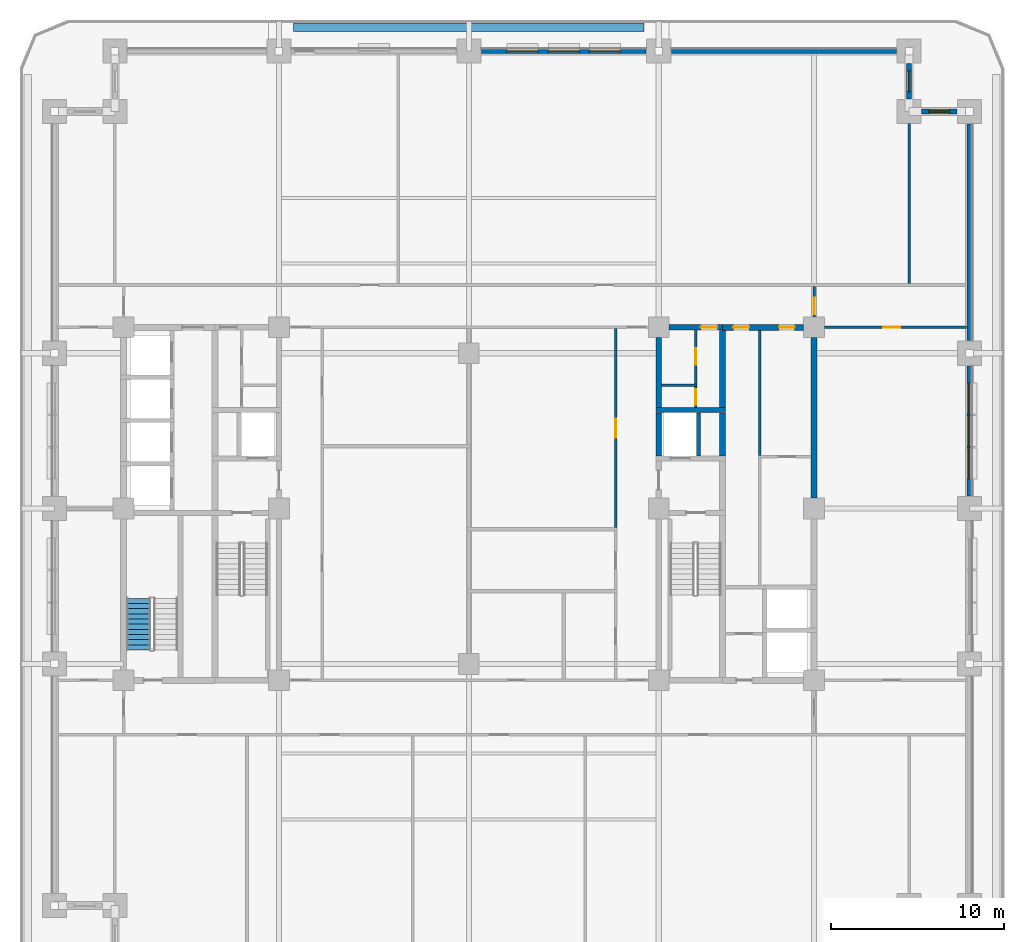
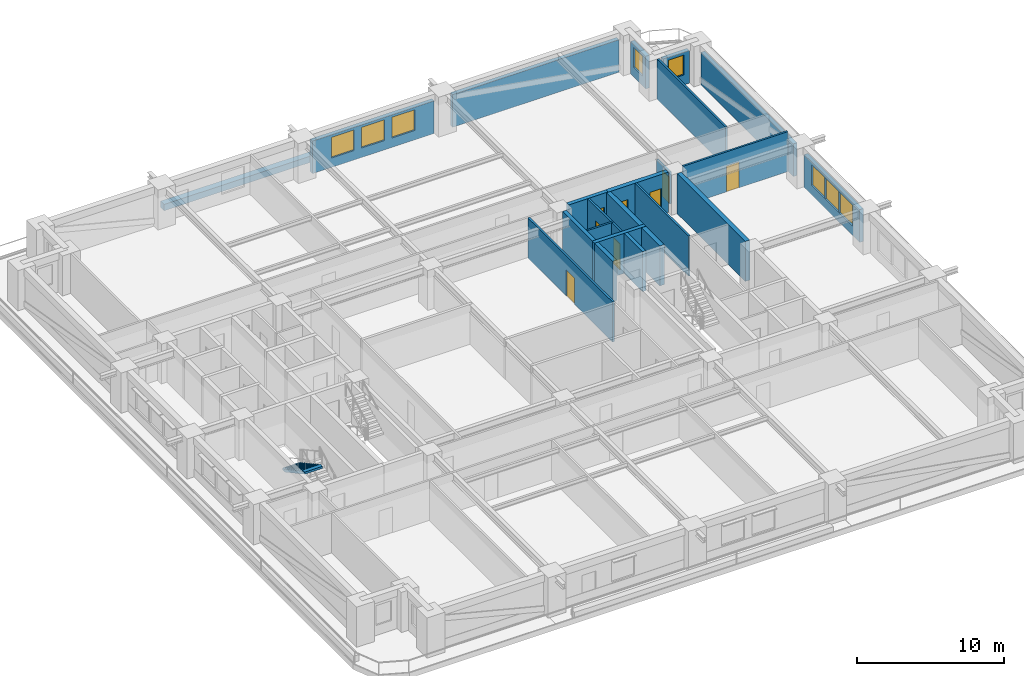
# One storey, part 6 of 14: 24 walls, 8 doors, 8 windows, 1 stair flight, 16 openings, 1 element without a shape of its own.
"""IFC4 building model written with IfcOpenShell, lengths in metres."""

from ifc_helpers import new_model, si_unit, direction, frame, frame_2d, origin, place, context, subcontext, project, spatial, polyline, rectangle, outline, extrude, material, layer, layer_set, type_object, element, fill, aggregate, save


model = new_model("IFC4")

# Units and contexts
model_context = context("Model", 3, precision=1e-05, world=origin(), true_north=direction((0.0, 1.0)))
body_context = subcontext(model_context, "Body", "Model", "MODEL_VIEW")
ifc_project = project(units=[si_unit("LENGTHUNIT", "METRE"), si_unit("AREAUNIT", "SQUARE_METRE"), si_unit("VOLUMEUNIT", "CUBIC_METRE"), si_unit("PLANEANGLEUNIT", "RADIAN"), si_unit("MASSUNIT", "GRAM", prefix="KILO")], contexts=[model_context])

# Site, building, storey
site_placement = place(None, origin())
site = spatial("IfcSite", under=ifc_project, at=site_placement, CompositionType="ELEMENT")
building_placement = place(site_placement, origin())
building = spatial("IfcBuilding", under=site, at=building_placement, Name="Zulmaris Gate Convention Tower", CompositionType="ELEMENT")
storey_placement = place(building_placement, frame((0.0, 0.0, 41.47998046875)))
storey = spatial("IfcBuildingStorey", under=building, at=storey_placement, Name="L09", CompositionType="ELEMENT", Elevation=41.47998046875)

# Walls
ifc_material_1 = material(Name="Concrete C50/60", Category="concrete")
ifc_layer_1 = layer(ifc_material_1, 0.25, Name="Concrete C50/60")
ifc_layer_set_1 = layer_set([ifc_layer_1], Name="Concrete C50/60")
wall_type_1 = type_object("IfcWallType", Name="CORE-250", PredefinedType="SOLIDWALL", material=ifc_layer_set_1)
wall_1_placement = place(storey_placement, frame((13.300048828125, 3.052001953125, 0.0), z_axis=(0.0, 0.0, 1.0), x_axis=(0.0, 1.0, 0.0)))
element("IfcWall", 1, at=wall_1_placement, inside=storey, type_object=wall_type_1, Name="WL-L09-062", PredefinedType="SOLIDWALL", context=body_context, shape_type="SweptSolid", body=[
    extrude(rectangle(XDim=2.49609375, YDim=0.25, at=frame_2d((1.248046875, 0.0))), origin(), (0.0, 0.0, 1.0), 3.320068359375),
])
ifc_layer_2 = layer(ifc_material_1, 0.300048828125, Name="Concrete C50/60")
ifc_layer_set_2 = layer_set([ifc_layer_2], Name="Concrete C50/60")
wall_type_2 = type_object("IfcWallType", Name="CORE-300", PredefinedType="SHEAR", material=ifc_layer_set_2)
wall_2_placement = place(storey_placement, frame((10.85009765625, 5.699951171875, 0.0), z_axis=(0.0, 0.0, 1.0), x_axis=(1.0, 0.0, 0.0)))
element("IfcWall", 2, at=wall_2_placement, inside=storey, type_object=wall_type_2, Name="WL-L09-014", PredefinedType="SHEAR", context=body_context, shape_type="SweptSolid", body=[
    extrude(rectangle(XDim=4.02490234375, YDim=0.300048828125, at=frame_2d((2.012451171875, 0.0))), origin(), (0.0, 0.0, 1.0), 3.320068359375),
])

# Wall, opening, door
wall_3_placement = place(storey_placement, frame((11.60400390625, 10.5, 0.0), z_axis=(0.0, 0.0, 1.0), x_axis=(1.0, 0.0, 0.0)))
wall_3 = element("IfcWall", 3, at=wall_3_placement, inside=storey, type_object=wall_type_2, Name="WL-L09-018", PredefinedType="SHEAR", context=body_context, shape_type="SweptSolid", body=[
    extrude(rectangle(XDim=3.095947265625, YDim=0.300048828125, at=frame_2d((1.5478515625, 0.0))), origin(), (0.0, 0.0, 1.0), 3.320068359375),
])
opening_1_placement = place(wall_3_placement, frame((1.841064453125, 0.0, 0.0)))
opening_1 = element("IfcOpeningElement", 4, at=opening_1_placement, cuts=wall_3, Name="Opening D-11", PredefinedType="OPENING", context=body_context, shape_type="SweptSolid", body=[
    extrude(rectangle(XDim=0.949951171875, YDim=2.14990234375, at=frame_2d((0.47509765625, 1.074951171875))), frame((0.0, 0.16015625, 0.0), z_axis=(0.0, -1.0, 0.0), x_axis=(1.0, 0.0, 0.0)), (0.0, 0.0, 1.0), 0.320068359375),
])
ifc_material_2 = material(Name="Fire-Rated Timber", Category="wood")
door_type_1 = type_object("IfcDoorType", Name="DR-950-FD", OperationType="NOTDEFINED", PredefinedType="DOOR", material=ifc_material_2)
door_1_placement = place(opening_1_placement, origin())
door_1 = element("IfcDoor", 5, at=door_1_placement, inside=storey, type_object=door_type_1, Name="L09 Core East Passage Door 10", OperationType="SINGLE_SWING_LEFT", OverallHeight=2.14990234375, OverallWidth=0.949951171875, PredefinedType="DOOR", context=body_context, shape_type="SweptSolid", body=[
    extrude(rectangle(XDim=0.949951171875, YDim=2.14990234375, at=frame_2d((0.47509765625, 1.074951171875))), frame((0.0, 0.02490234375, 0.0), z_axis=(0.0, -1.0, 0.0), x_axis=(1.0, 0.0, 0.0)), (0.0, 0.0, 1.0), 0.050048828125),
])
fill(opening_1, door_1)

# Walls
wall_4_placement = place(storey_placement, frame((11.0, 3.052001953125, 0.0), z_axis=(0.0, 0.0, 1.0), x_axis=(0.0, 1.0, 0.0)))
element("IfcWall", 6, at=wall_4_placement, inside=storey, type_object=wall_type_2, Name="WL-L09-059", PredefinedType="SHEAR", context=body_context, shape_type="SweptSolid", body=[
    extrude(rectangle(XDim=2.49609375, YDim=0.300048828125, at=frame_2d((1.248046875, 0.0))), origin(), (0.0, 0.0, 1.0), 3.320068359375),
])
wall_5_placement = place(storey_placement, frame((11.0, 5.85205078125, 0.0), z_axis=(0.0, 0.0, 1.0), x_axis=(0.0, 1.0, 0.0)))
element("IfcWall", 7, at=wall_5_placement, inside=storey, type_object=wall_type_2, Name="WL-L09-060", PredefinedType="SHEAR", context=body_context, shape_type="SweptSolid", body=[
    extrude(rectangle(XDim=4.0439453125, YDim=0.300048828125, at=frame_2d((2.02197265625, 0.0))), origin(), (0.0, 0.0, 1.0), 3.320068359375),
])

# Wall, openings, doors
ifc_material_3 = material(Name="Concrete C55/67", Category="concrete")
ifc_layer_3 = layer(ifc_material_3, 0.35009765625, Name="Concrete C55/67")
ifc_layer_set_3 = layer_set([ifc_layer_3], Name="Concrete C55/67")
wall_type_3 = type_object("IfcWallType", Name="CORE-350", PredefinedType="SHEAR", material=ifc_layer_set_3)
wall_6_placement = place(storey_placement, frame((14.699951171875, 10.5, 0.0), z_axis=(0.0, 0.0, 1.0), x_axis=(1.0, 0.0, 0.0)))
wall_6 = element("IfcWall", 8, at=wall_6_placement, inside=storey, type_object=wall_type_3, Name="WL-L09-019", PredefinedType="SHEAR", context=body_context, shape_type="SweptSolid", body=[
    extrude(rectangle(XDim=4.696044921875, YDim=0.35009765625, at=frame_2d((2.34814453125, 0.0))), origin(), (0.0, 0.0, 1.0), 3.320068359375),
])
opening_2_placement = place(wall_6_placement, frame((0.6298828125, 0.0, 0.0)))
opening_2 = element("IfcOpeningElement", 9, at=opening_2_placement, cuts=wall_6, Name="Opening D-12", PredefinedType="OPENING", context=body_context, shape_type="SweptSolid", body=[
    extrude(rectangle(XDim=0.89990234375, YDim=2.14990234375, at=frame_2d((0.449951171875, 1.074951171875))), frame((0.0, 0.18505859375, 0.0), z_axis=(0.0, -1.0, 0.0), x_axis=(1.0, 0.0, 0.0)), (0.0, 0.0, 1.0), 0.3701171875),
])
opening_3_placement = place(wall_6_placement, frame((3.27001953125, 0.0, 0.0)))
opening_3 = element("IfcOpeningElement", 10, at=opening_3_placement, cuts=wall_6, Name="Opening D-12", PredefinedType="OPENING", context=body_context, shape_type="SweptSolid", body=[
    extrude(rectangle(XDim=0.89990234375, YDim=2.14990234375, at=frame_2d((0.449951171875, 1.074951171875))), frame((0.0, 0.18505859375, 0.0), z_axis=(0.0, -1.0, 0.0), x_axis=(1.0, 0.0, 0.0)), (0.0, 0.0, 1.0), 0.3701171875),
])
door_type_2 = type_object("IfcDoorType", Name="DR-900-FD", OperationType="NOTDEFINED", PredefinedType="DOOR", material=ifc_material_2)
door_2_placement = place(opening_2_placement, origin())
door_2 = element("IfcDoor", 11, at=door_2_placement, inside=storey, type_object=door_type_2, Name="L09 East Comms Door 21", OperationType="SINGLE_SWING_RIGHT", OverallHeight=2.14990234375, OverallWidth=0.89990234375, PredefinedType="DOOR", context=body_context, shape_type="SweptSolid", body=[
    extrude(rectangle(XDim=0.89990234375, YDim=2.14990234375, at=frame_2d((0.449951171875, 1.074951171875))), frame((0.0, 0.02490234375, 0.0), z_axis=(0.0, -1.0, 0.0), x_axis=(1.0, 0.0, 0.0)), (0.0, 0.0, 1.0), 0.050048828125),
])
fill(opening_2, door_2)
door_3_placement = place(opening_3_placement, origin())
door_3 = element("IfcDoor", 12, at=door_3_placement, inside=storey, type_object=door_type_2, Name="L09 East Archive Vault Door 22", OperationType="SINGLE_SWING_LEFT", OverallHeight=2.14990234375, OverallWidth=0.89990234375, PredefinedType="DOOR", context=body_context, shape_type="SweptSolid", body=[
    extrude(rectangle(XDim=0.89990234375, YDim=2.14990234375, at=frame_2d((0.449951171875, 1.074951171875))), frame((0.0, 0.02490234375, 0.0), z_axis=(0.0, -1.0, 0.0), x_axis=(1.0, 0.0, 0.0)), (0.0, 0.0, 1.0), 0.050048828125),
])
fill(opening_3, door_3)

# Walls
wall_7_placement = place(storey_placement, frame((14.699951171875, 3.052001953125, 0.0), z_axis=(0.0, 0.0, 1.0), x_axis=(0.0, 1.0, 0.0)))
element("IfcWall", 13, at=wall_7_placement, inside=storey, type_object=wall_type_3, Name="WL-L09-065", PredefinedType="SHEAR", context=body_context, shape_type="SweptSolid", body=[
    extrude(rectangle(XDim=2.49609375, YDim=0.35009765625, at=frame_2d((1.248046875, 0.0))), origin(), (0.0, 0.0, 1.0), 3.320068359375),
])
wall_8_placement = place(storey_placement, frame((14.699951171875, 5.85205078125, 0.0), z_axis=(0.0, 0.0, 1.0), x_axis=(0.0, 1.0, 0.0)))
element("IfcWall", 14, at=wall_8_placement, inside=storey, type_object=wall_type_3, Name="WL-L09-066", PredefinedType="SHEAR", context=body_context, shape_type="SweptSolid", body=[
    extrude(rectangle(XDim=4.470947265625, YDim=0.35009765625, at=frame_2d((2.2353515625, 0.0))), origin(), (0.0, 0.0, 1.0), 3.320068359375),
])
wall_9_placement = place(storey_placement, frame((20.0, 0.60400390625, 0.0), z_axis=(0.0, 0.0, 1.0), x_axis=(0.0, 1.0, 0.0)))
element("IfcWall", 15, at=wall_9_placement, inside=storey, type_object=wall_type_3, Name="WL-L09-071S1", PredefinedType="SHEAR", context=body_context, shape_type="SweptSolid", body=[
    extrude(rectangle(XDim=9.2919921875, YDim=0.35009765625, at=frame_2d((4.64599609375, 0.0))), origin(), (0.0, 0.0, 1.0), 3.320068359375),
])
ifc_material_4 = material(Name="Gypsum Metal Stud Partition")
ifc_layer_4 = layer(ifc_material_4, 0.14990234375, Name="Gypsum Metal Stud Partition")
ifc_layer_set_4 = layer_set([ifc_layer_4], Name="Gypsum Metal Stud Partition")
wall_type_4 = type_object("IfcWallType", Name="PART-150", PredefinedType="PARTITIONING", material=ifc_layer_set_4)
wall_10_placement = place(storey_placement, frame((11.153076171875, 7.14990234375, 0.0), z_axis=(0.0, 0.0, 1.0), x_axis=(1.0, 0.0, 0.0)))
element("IfcWall", 16, at=wall_10_placement, inside=storey, type_object=wall_type_4, Name="WL-L09-032", PredefinedType="PARTITIONING", context=body_context, shape_type="SweptSolid", body=[
    extrude(rectangle(XDim=2.072021484375, YDim=0.14990234375, at=frame_2d((1.0361328125, 0.0))), origin(), (0.0, 0.0, 1.0), 3.320068359375),
])

# Wall, opening, door
wall_11_placement = place(storey_placement, frame((20.60595703125, 10.5, 0.0), z_axis=(0.0, 0.0, 1.0), x_axis=(1.0, 0.0, 0.0)))
wall_11 = element("IfcWall", 17, at=wall_11_placement, inside=storey, type_object=wall_type_4, Name="WL-L09-035", PredefinedType="PARTITIONING", context=body_context, shape_type="SweptSolid", body=[
    extrude(rectangle(XDim=8.22900390625, YDim=0.14990234375, at=frame_2d((4.114501953125, 0.0))), origin(), (0.0, 0.0, 1.0), 3.320068359375),
])
opening_4_placement = place(wall_11_placement, frame((3.39404296875, 0.0, 0.0)))
opening_4 = element("IfcOpeningElement", 18, at=opening_4_placement, cuts=wall_11, Name="Opening D-10", PredefinedType="OPENING", context=body_context, shape_type="SweptSolid", body=[
    extrude(rectangle(XDim=1.0, YDim=2.14990234375, at=frame_2d((0.5, 1.074951171875))), frame((0.0, 0.0849609375, 0.0), z_axis=(0.0, -1.0, 0.0), x_axis=(1.0, 0.0, 0.0)), (0.0, 0.0, 1.0), 0.169921875),
])
door_type_3 = type_object("IfcDoorType", Name="DR-1000-FD", OperationType="NOTDEFINED", PredefinedType="DOOR", material=ifc_material_2)
door_4_placement = place(opening_4_placement, origin())
door_4 = element("IfcDoor", 19, at=door_4_placement, inside=storey, type_object=door_type_3, Name="L09 East Workplace North Door 46", OperationType="SINGLE_SWING_LEFT", OverallHeight=2.14990234375, OverallWidth=1.0, PredefinedType="DOOR", context=body_context, shape_type="SweptSolid", body=[
    extrude(rectangle(XDim=1.0, YDim=2.14990234375, at=frame_2d((0.5, 1.074951171875))), frame((0.0, 0.02490234375, 0.0), z_axis=(0.0, -1.0, 0.0), x_axis=(1.0, 0.0, 0.0)), (0.0, 0.0, 1.0), 0.050048828125),
])
fill(opening_4, door_4)

wall_12_placement = place(storey_placement, frame((8.5, -1.096923828125, 0.0), z_axis=(0.0, 0.0, 1.0), x_axis=(0.0, 1.0, 0.0)))
wall_12 = element("IfcWall", 20, at=wall_12_placement, inside=storey, type_object=wall_type_4, Name="WL-L09-091", PredefinedType="PARTITIONING", context=body_context, shape_type="SweptSolid", body=[
    extrude(rectangle(XDim=11.51904296875, YDim=0.14990234375, at=frame_2d((5.759521484375, 0.0))), origin(), (0.0, 0.0, 1.0), 3.320068359375),
])
opening_5_placement = place(wall_12_placement, frame((5.197021484375, 0.0, 0.0)))
opening_5 = element("IfcOpeningElement", 21, at=opening_5_placement, cuts=wall_12, Name="Opening D-08", PredefinedType="OPENING", context=body_context, shape_type="SweptSolid", body=[
    extrude(rectangle(XDim=1.10009765625, YDim=2.14990234375, at=frame_2d((0.550048828125, 1.074951171875))), frame((0.0, 0.0849609375, 0.0), z_axis=(0.0, -1.0, 0.0), x_axis=(1.0, 0.0, 0.0)), (0.0, 0.0, 1.0), 0.169921875),
])
ifc_material_5 = material(Name="Fire-Rated Steel", Category="steel")
door_type_4 = type_object("IfcDoorType", Name="DR-1100-FD", OperationType="NOTDEFINED", PredefinedType="DOOR", material=ifc_material_5)
door_5_placement = place(opening_5_placement, origin())
door_5 = element("IfcDoor", 22, at=door_5_placement, inside=storey, type_object=door_type_4, Name="L09 Seminar Forum Door 36", OperationType="SINGLE_SWING_LEFT", OverallHeight=2.14990234375, OverallWidth=1.10009765625, PredefinedType="DOOR", context=body_context, shape_type="SweptSolid", body=[
    extrude(rectangle(XDim=1.10009765625, YDim=2.14990234375, at=frame_2d((0.550048828125, 1.074951171875))), frame((0.0, 0.02490234375, 0.0), z_axis=(0.0, -1.0, 0.0), x_axis=(1.0, 0.0, 0.0)), (0.0, 0.0, 1.0), 0.050048828125),
])
fill(opening_5, door_5)

wall_13_placement = place(storey_placement, frame((13.14990234375, 5.85302734375, 0.0), z_axis=(0.0, 0.0, 1.0), x_axis=(0.0, 1.0, 0.0)))
wall_13 = element("IfcWall", 23, at=wall_13_placement, inside=storey, type_object=wall_type_4, Name="WL-L09-092", PredefinedType="PARTITIONING", context=body_context, shape_type="SweptSolid", body=[
    extrude(rectangle(XDim=1.218994140625, YDim=0.14990234375, at=frame_2d((0.609375, 0.0))), origin(), (0.0, 0.0, 1.0), 3.320068359375),
])
opening_6_placement = place(wall_13_placement, frame((0.1689453125, 0.0, 0.0)))
opening_6 = element("IfcOpeningElement", 24, at=opening_6_placement, cuts=wall_13, Name="Opening D-12", PredefinedType="OPENING", context=body_context, shape_type="SweptSolid", body=[
    extrude(rectangle(XDim=0.89990234375, YDim=2.14990234375, at=frame_2d((0.449951171875, 1.074951171875))), frame((0.0, 0.0849609375, 0.0), z_axis=(0.0, -1.0, 0.0), x_axis=(1.0, 0.0, 0.0)), (0.0, 0.0, 1.0), 0.169921875),
])
door_6_placement = place(opening_6_placement, origin())
door_6 = element("IfcDoor", 25, at=door_6_placement, inside=storey, type_object=door_type_2, Name="L09 Core Staff WC Door 11", OperationType="SINGLE_SWING_RIGHT", OverallHeight=2.14990234375, OverallWidth=0.89990234375, PredefinedType="DOOR", context=body_context, shape_type="SweptSolid", body=[
    extrude(rectangle(XDim=0.89990234375, YDim=2.14990234375, at=frame_2d((0.449951171875, 1.074951171875))), frame((0.0, 0.02490234375, 0.0), z_axis=(0.0, -1.0, 0.0), x_axis=(1.0, 0.0, 0.0)), (0.0, 0.0, 1.0), 0.050048828125),
])
fill(opening_6, door_6)

wall_14_placement = place(storey_placement, frame((13.14990234375, 7.22802734375, 0.0), z_axis=(0.0, 0.0, 1.0), x_axis=(0.0, 1.0, 0.0)))
wall_14 = element("IfcWall", 26, at=wall_14_placement, inside=storey, type_object=wall_type_4, Name="WL-L09-093", PredefinedType="PARTITIONING", context=body_context, shape_type="SweptSolid", body=[
    extrude(rectangle(XDim=3.118896484375, YDim=0.14990234375, at=frame_2d((1.5595703125, 0.0))), origin(), (0.0, 0.0, 1.0), 3.320068359375),
])
opening_7_placement = place(wall_14_placement, frame((1.096923828125, 0.0, 0.0)))
opening_7 = element("IfcOpeningElement", 27, at=opening_7_placement, cuts=wall_14, Name="Opening D-11", PredefinedType="OPENING", context=body_context, shape_type="SweptSolid", body=[
    extrude(rectangle(XDim=0.949951171875, YDim=2.14990234375, at=frame_2d((0.47509765625, 1.074951171875))), frame((0.0, 0.0849609375, 0.0), z_axis=(0.0, -1.0, 0.0), x_axis=(1.0, 0.0, 0.0)), (0.0, 0.0, 1.0), 0.169921875),
])
door_7_placement = place(opening_7_placement, origin())
door_7 = element("IfcDoor", 28, at=door_7_placement, inside=storey, type_object=door_type_1, Name="L09 Core Hygiene Store Door 12", OperationType="SINGLE_SWING_LEFT", OverallHeight=2.14990234375, OverallWidth=0.949951171875, PredefinedType="DOOR", context=body_context, shape_type="SweptSolid", body=[
    extrude(rectangle(XDim=0.949951171875, YDim=2.14990234375, at=frame_2d((0.47509765625, 1.074951171875))), frame((0.0, 0.02490234375, 0.0), z_axis=(0.0, -1.0, 0.0), x_axis=(1.0, 0.0, 0.0)), (0.0, 0.0, 1.0), 0.050048828125),
])
fill(opening_7, door_7)

# Wall
wall_15_placement = place(storey_placement, frame((16.85009765625, 3.077880859375, 0.0), z_axis=(0.0, 0.0, 1.0), x_axis=(0.0, 1.0, 0.0)))
element("IfcWall", 29, at=wall_15_placement, inside=storey, type_object=wall_type_4, Name="WL-L09-095", PredefinedType="PARTITIONING", context=body_context, shape_type="SweptSolid", body=[
    extrude(rectangle(XDim=7.244140625, YDim=0.14990234375, at=frame_2d((3.6220703125, 0.0))), origin(), (0.0, 0.0, 1.0), 3.320068359375),
])

# Wall, opening, door
wall_16_placement = place(storey_placement, frame((20.0, 11.10595703125, 0.0), z_axis=(0.0, 0.0, 1.0), x_axis=(0.0, 1.0, 0.0)))
wall_16 = element("IfcWall", 30, at=wall_16_placement, inside=storey, type_object=wall_type_4, Name="WL-L09-097", PredefinedType="PARTITIONING", context=body_context, shape_type="SweptSolid", body=[
    extrude(rectangle(XDim=1.76611328125, YDim=0.14990234375, at=frame_2d((0.883056640625, 0.0))), origin(), (0.0, 0.0, 1.0), 2.659912109375),
])
opening_8_placement = place(wall_16_placement, frame((0.14990234375, 0.0, 0.0)))
opening_8 = element("IfcOpeningElement", 31, at=opening_8_placement, cuts=wall_16, Name="Opening D-11", PredefinedType="OPENING", context=body_context, shape_type="SweptSolid", body=[
    extrude(rectangle(XDim=0.949951171875, YDim=2.14990234375, at=frame_2d((0.47509765625, 1.074951171875))), frame((0.0, 0.0849609375, 0.0), z_axis=(0.0, -1.0, 0.0), x_axis=(1.0, 0.0, 0.0)), (0.0, 0.0, 1.0), 0.169921875),
])
door_8_placement = place(opening_8_placement, origin())
door_8 = element("IfcDoor", 32, at=door_8_placement, inside=storey, type_object=door_type_1, Name="L09 NE Spur Door 44", OperationType="SINGLE_SWING_LEFT", OverallHeight=2.14990234375, OverallWidth=0.949951171875, PredefinedType="DOOR", context=body_context, shape_type="SweptSolid", body=[
    extrude(rectangle(XDim=0.949951171875, YDim=2.14990234375, at=frame_2d((0.47509765625, 1.074951171875))), frame((0.0, 0.02490234375, 0.0), z_axis=(0.0, -1.0, 0.0), x_axis=(1.0, 0.0, 0.0)), (0.0, 0.0, 1.0), 0.050048828125),
])
fill(opening_8, door_8)

# Walls
wall_17_placement = place(storey_placement, frame((25.5, 13.028076171875, 0.0), z_axis=(0.0, 0.0, 1.0), x_axis=(0.0, 1.0, 0.0)))
element("IfcWall", 33, at=wall_17_placement, inside=storey, type_object=wall_type_4, Name="WL-L09-099", PredefinedType="PARTITIONING", context=body_context, shape_type="SweptSolid", body=[
    extrude(rectangle(XDim=9.265869140625, YDim=0.14990234375, at=frame_2d((4.6328125, 0.0))), origin(), (0.0, 0.0, 1.0), 3.320068359375),
])
ifc_material_6 = material(Name="Botanical Green Glazed Precast Concrete C40/50", Category="concrete")
ifc_layer_5 = layer(ifc_material_6, 0.419921875, Name="Botanical Green Glazed Precast Concrete C40/50")
ifc_layer_set_5 = layer_set([ifc_layer_5], Name="Botanical Green Glazed Precast Concrete C40/50")
wall_type_5 = type_object("IfcWallType", Name="PLANTER-CURB-200", PredefinedType="PARAPET", material=ifc_layer_set_5)
wall_18_placement = place(storey_placement, frame((-10.14990234375, 27.8798828125, -0.0400390625), z_axis=(0.0, 0.0, 1.0), x_axis=(1.0, 0.0, 0.0)))
element("IfcWall", 34, at=wall_18_placement, inside=storey, type_object=wall_type_5, Name="L09 Full-Length Balcony Tree Planter Trough", PredefinedType="PARAPET", context=body_context, shape_type="SweptSolid", body=[
    extrude(rectangle(XDim=20.2998046875, YDim=0.47998046875, at=frame_2d((10.14990234375, 0.0))), origin(), (0.0, 0.0, 1.0), 0.52001953125),
])

# Wall, opening, window
ifc_material_7 = material(Name="Precast concrete C40/50", Category="concrete")
ifc_layer_6 = layer(ifc_material_7, 0.300048828125, Name="Precast concrete C40/50")
ifc_layer_set_6 = layer_set([ifc_layer_6], Name="Precast concrete C40/50")
wall_type_6 = type_object("IfcWallType", Name="PRECAST-PIER-300", PredefinedType="STANDARD", material=ifc_layer_set_6)
wall_19_placement = place(storey_placement, frame((28.27001953125, 23.0, 0.0), z_axis=(0.0, 0.0, 1.0), x_axis=(-1.0, 0.0, 0.0)))
wall_19 = element("IfcWall", 35, at=wall_19_placement, inside=storey, type_object=wall_type_6, Name="EW-L09-NOTCH-NE1_0", PredefinedType="STANDARD", context=body_context, shape_type="SweptSolid", body=[
    extrude(rectangle(XDim=2.0400390625, YDim=0.300048828125, at=frame_2d((1.02001953125, 0.0))), origin(), (0.0, 0.0, 1.0), 2.7119140625),
])
opening_9_placement = place(wall_19_placement, frame((0.419921875, 0.0, 0.820068359375)))
opening_9 = element("IfcOpeningElement", 36, at=opening_9_placement, cuts=wall_19, Name="Opening W-04", PredefinedType="OPENING", context=body_context, shape_type="SweptSolid", body=[
    extrude(rectangle(XDim=1.199951171875, YDim=1.64990234375, at=frame_2d((0.60009765625, 0.824951171875))), frame((0.0, 0.16015625, 0.0), z_axis=(0.0, -1.0, 0.0), x_axis=(1.0, 0.0, 0.0)), (0.0, 0.0, 1.0), 0.320068359375),
])
ifc_material_8 = material(Name="Low-E Laminated Double Glazing in Aluminium Frame", Category="aluminium")
window_type_1 = type_object("IfcWindowType", Name="WIN-1200x2100", PartitioningType="SINGLE_PANEL", PredefinedType="WINDOW", material=ifc_material_8)
window_1_placement = place(opening_9_placement, origin())
window_1 = element("IfcWindow", 37, at=window_1_placement, inside=storey, type_object=window_type_1, Name="WN-EW-L09-NOTCH-NE1_0", OverallHeight=1.64990234375, OverallWidth=1.199951171875, PartitioningType="SINGLE_PANEL", PredefinedType="WINDOW", context=body_context, shape_type="SweptSolid", body=[
    extrude(rectangle(XDim=1.199951171875, YDim=1.64990234375, at=frame_2d((0.60009765625, 0.824951171875))), frame((0.0, 0.030029296875, 0.0), z_axis=(0.0, -1.0, 0.0), x_axis=(1.0, 0.0, 0.0)), (0.0, 0.0, 1.0), 0.06005859375),
])
fill(opening_9, window_1)

wall_20_placement = place(storey_placement, frame((25.5, 23.72998046875, 0.0), z_axis=(0.0, 0.0, 1.0), x_axis=(0.0, 1.0, 0.0)))
wall_20 = element("IfcWall", 38, at=wall_20_placement, inside=storey, type_object=wall_type_6, Name="EW-L09-NOTCH-NE2_0", PredefinedType="STANDARD", context=body_context, shape_type="SweptSolid", body=[
    extrude(rectangle(XDim=2.0400390625, YDim=0.300048828125, at=frame_2d((1.02001953125, 0.0))), origin(), (0.0, 0.0, 1.0), 2.7119140625),
])
opening_10_placement = place(wall_20_placement, frame((0.419921875, 0.0, 0.820068359375)))
opening_10 = element("IfcOpeningElement", 39, at=opening_10_placement, cuts=wall_20, Name="Opening W-04", PredefinedType="OPENING", context=body_context, shape_type="SweptSolid", body=[
    extrude(rectangle(XDim=1.199951171875, YDim=1.64990234375, at=frame_2d((0.60009765625, 0.824951171875))), frame((0.0, 0.16015625, 0.0), z_axis=(0.0, -1.0, 0.0), x_axis=(1.0, 0.0, 0.0)), (0.0, 0.0, 1.0), 0.320068359375),
])
window_2_placement = place(opening_10_placement, origin())
window_2 = element("IfcWindow", 40, at=window_2_placement, inside=storey, type_object=window_type_1, Name="WN-EW-L09-NOTCH-NE2_0", OverallHeight=1.64990234375, OverallWidth=1.199951171875, PartitioningType="SINGLE_PANEL", PredefinedType="WINDOW", context=body_context, shape_type="SweptSolid", body=[
    extrude(rectangle(XDim=1.199951171875, YDim=1.64990234375, at=frame_2d((0.60009765625, 0.824951171875))), frame((0.0, 0.030029296875, 0.0), z_axis=(0.0, -1.0, 0.0), x_axis=(1.0, 0.0, 0.0)), (0.0, 0.0, 1.0), 0.06005859375),
])
fill(opening_10, window_2)

# Wall, openings, windows
wall_21_placement = place(storey_placement, frame((10.27001953125, 26.5, 0.0), z_axis=(0.0, 0.0, 1.0), x_axis=(-1.0, 0.0, 0.0)))
wall_21 = element("IfcWall", 41, at=wall_21_placement, inside=storey, type_object=wall_type_6, Name="EW-L09-N-2_0", PredefinedType="STANDARD", context=body_context, shape_type="SweptSolid", body=[
    extrude(rectangle(XDim=9.5400390625, YDim=0.300048828125, at=frame_2d((4.77001953125, 0.0))), origin(), (0.0, 0.0, 1.0), 2.7119140625),
])
opening_11_placement = place(wall_21_placement, frame((1.485107421875, 0.0, 0.780029296875)))
opening_11 = element("IfcOpeningElement", 42, at=opening_11_placement, cuts=wall_21, Name="Opening W-02", PredefinedType="OPENING", context=body_context, shape_type="SweptSolid", body=[
    extrude(rectangle(XDim=1.800048828125, YDim=1.719970703125, at=frame_2d((0.89990234375, 0.85986328125))), frame((0.0, 0.16015625, 0.0), z_axis=(0.0, -1.0, 0.0), x_axis=(1.0, 0.0, 0.0)), (0.0, 0.0, 1.0), 0.320068359375),
])
opening_12_placement = place(wall_21_placement, frame((3.8701171875, 0.0, 0.780029296875)))
opening_12 = element("IfcOpeningElement", 43, at=opening_12_placement, cuts=wall_21, Name="Opening W-02", PredefinedType="OPENING", context=body_context, shape_type="SweptSolid", body=[
    extrude(rectangle(XDim=1.800048828125, YDim=1.719970703125, at=frame_2d((0.89990234375, 0.85986328125))), frame((0.0, 0.16015625, 0.0), z_axis=(0.0, -1.0, 0.0), x_axis=(1.0, 0.0, 0.0)), (0.0, 0.0, 1.0), 0.320068359375),
])
opening_13_placement = place(wall_21_placement, frame((6.2548828125, 0.0, 0.780029296875)))
opening_13 = element("IfcOpeningElement", 44, at=opening_13_placement, cuts=wall_21, Name="Opening W-02", PredefinedType="OPENING", context=body_context, shape_type="SweptSolid", body=[
    extrude(rectangle(XDim=1.800048828125, YDim=1.719970703125, at=frame_2d((0.89990234375, 0.85986328125))), frame((0.0, 0.16015625, 0.0), z_axis=(0.0, -1.0, 0.0), x_axis=(1.0, 0.0, 0.0)), (0.0, 0.0, 1.0), 0.320068359375),
])
window_type_2 = type_object("IfcWindowType", Name="WIN-1800x2200", PartitioningType="SINGLE_PANEL", PredefinedType="WINDOW", material=ifc_material_8)
window_3_placement = place(opening_11_placement, origin())
window_3 = element("IfcWindow", 45, at=window_3_placement, inside=storey, type_object=window_type_2, Name="WN-EW-L09-N-2_0-1", OverallHeight=1.719970703125, OverallWidth=1.800048828125, PartitioningType="SINGLE_PANEL", PredefinedType="WINDOW", context=body_context, shape_type="SweptSolid", body=[
    extrude(rectangle(XDim=1.800048828125, YDim=1.719970703125, at=frame_2d((0.89990234375, 0.85986328125))), frame((0.0, 0.030029296875, 0.0), z_axis=(0.0, -1.0, 0.0), x_axis=(1.0, 0.0, 0.0)), (0.0, 0.0, 1.0), 0.06005859375),
])
fill(opening_11, window_3)
window_4_placement = place(opening_12_placement, origin())
window_4 = element("IfcWindow", 46, at=window_4_placement, inside=storey, type_object=window_type_2, Name="WN-EW-L09-N-2_0-2", OverallHeight=1.719970703125, OverallWidth=1.800048828125, PartitioningType="SINGLE_PANEL", PredefinedType="WINDOW", context=body_context, shape_type="SweptSolid", body=[
    extrude(rectangle(XDim=1.800048828125, YDim=1.719970703125, at=frame_2d((0.89990234375, 0.85986328125))), frame((0.0, 0.030029296875, 0.0), z_axis=(0.0, -1.0, 0.0), x_axis=(1.0, 0.0, 0.0)), (0.0, 0.0, 1.0), 0.06005859375),
])
fill(opening_12, window_4)
window_5_placement = place(opening_13_placement, origin())
window_5 = element("IfcWindow", 47, at=window_5_placement, inside=storey, type_object=window_type_2, Name="WN-EW-L09-N-2_0-3", OverallHeight=1.719970703125, OverallWidth=1.800048828125, PartitioningType="SINGLE_PANEL", PredefinedType="WINDOW", context=body_context, shape_type="SweptSolid", body=[
    extrude(rectangle(XDim=1.800048828125, YDim=1.719970703125, at=frame_2d((0.89990234375, 0.85986328125))), frame((0.0, 0.030029296875, 0.0), z_axis=(0.0, -1.0, 0.0), x_axis=(1.0, 0.0, 0.0)), (0.0, 0.0, 1.0), 0.06005859375),
])
fill(opening_13, window_5)

# Wall
wall_22_placement = place(storey_placement, frame((24.77001953125, 26.5, 0.0), z_axis=(0.0, 0.0, 1.0), x_axis=(-1.0, 0.0, 0.0)))
element("IfcWall", 48, at=wall_22_placement, inside=storey, type_object=wall_type_6, Name="EW-L09-N-3_0", PredefinedType="STANDARD", context=body_context, shape_type="SweptSolid", body=[
    extrude(rectangle(XDim=13.0400390625, YDim=0.300048828125, at=frame_2d((6.52001953125, 0.0))), origin(), (0.0, 0.0, 1.0), 2.7119140625),
])

# Wall, openings, windows
wall_23_placement = place(storey_placement, frame((29.0, 0.72998046875, 0.0), z_axis=(0.0, 0.0, 1.0), x_axis=(0.0, 1.0, 0.0)))
wall_23 = element("IfcWall", 49, at=wall_23_placement, inside=storey, type_object=wall_type_6, Name="EW-L09-E-2_0", PredefinedType="STANDARD", context=body_context, shape_type="SweptSolid", body=[
    extrude(rectangle(XDim=7.5400390625, YDim=0.300048828125, at=frame_2d((3.77001953125, 0.0))), origin(), (0.0, 0.0, 1.0), 2.7119140625),
])
opening_14_placement = place(wall_23_placement, frame((0.985107421875, 0.0, 0.780029296875)))
opening_14 = element("IfcOpeningElement", 50, at=opening_14_placement, cuts=wall_23, Name="Opening W-02", PredefinedType="OPENING", context=body_context, shape_type="SweptSolid", body=[
    extrude(rectangle(XDim=1.800048828125, YDim=1.719970703125, at=frame_2d((0.89990234375, 0.85986328125))), frame((0.0, 0.16015625, 0.0), z_axis=(0.0, -1.0, 0.0), x_axis=(1.0, 0.0, 0.0)), (0.0, 0.0, 1.0), 0.320068359375),
])
opening_15_placement = place(wall_23_placement, frame((2.8701171875, 0.0, 0.780029296875)))
opening_15 = element("IfcOpeningElement", 51, at=opening_15_placement, cuts=wall_23, Name="Opening W-02", PredefinedType="OPENING", context=body_context, shape_type="SweptSolid", body=[
    extrude(rectangle(XDim=1.800048828125, YDim=1.719970703125, at=frame_2d((0.89990234375, 0.85986328125))), frame((0.0, 0.16015625, 0.0), z_axis=(0.0, -1.0, 0.0), x_axis=(1.0, 0.0, 0.0)), (0.0, 0.0, 1.0), 0.320068359375),
])
opening_16_placement = place(wall_23_placement, frame((4.7548828125, 0.0, 0.780029296875)))
opening_16 = element("IfcOpeningElement", 52, at=opening_16_placement, cuts=wall_23, Name="Opening W-02", PredefinedType="OPENING", context=body_context, shape_type="SweptSolid", body=[
    extrude(rectangle(XDim=1.800048828125, YDim=1.719970703125, at=frame_2d((0.89990234375, 0.85986328125))), frame((0.0, 0.16015625, 0.0), z_axis=(0.0, -1.0, 0.0), x_axis=(1.0, 0.0, 0.0)), (0.0, 0.0, 1.0), 0.320068359375),
])
window_6_placement = place(opening_14_placement, origin())
window_6 = element("IfcWindow", 53, at=window_6_placement, inside=storey, type_object=window_type_2, Name="WN-EW-L09-E-2_0-1", OverallHeight=1.719970703125, OverallWidth=1.800048828125, PartitioningType="SINGLE_PANEL", PredefinedType="WINDOW", context=body_context, shape_type="SweptSolid", body=[
    extrude(rectangle(XDim=1.800048828125, YDim=1.719970703125, at=frame_2d((0.89990234375, 0.85986328125))), frame((0.0, 0.030029296875, 0.0), z_axis=(0.0, -1.0, 0.0), x_axis=(1.0, 0.0, 0.0)), (0.0, 0.0, 1.0), 0.06005859375),
])
fill(opening_14, window_6)
window_7_placement = place(opening_15_placement, origin())
window_7 = element("IfcWindow", 54, at=window_7_placement, inside=storey, type_object=window_type_2, Name="WN-EW-L09-E-2_0-2", OverallHeight=1.719970703125, OverallWidth=1.800048828125, PartitioningType="SINGLE_PANEL", PredefinedType="WINDOW", context=body_context, shape_type="SweptSolid", body=[
    extrude(rectangle(XDim=1.800048828125, YDim=1.719970703125, at=frame_2d((0.89990234375, 0.85986328125))), frame((0.0, 0.030029296875, 0.0), z_axis=(0.0, -1.0, 0.0), x_axis=(1.0, 0.0, 0.0)), (0.0, 0.0, 1.0), 0.06005859375),
])
fill(opening_15, window_7)
window_8_placement = place(opening_16_placement, origin())
window_8 = element("IfcWindow", 55, at=window_8_placement, inside=storey, type_object=window_type_2, Name="WN-EW-L09-E-2_0-3", OverallHeight=1.719970703125, OverallWidth=1.800048828125, PartitioningType="SINGLE_PANEL", PredefinedType="WINDOW", context=body_context, shape_type="SweptSolid", body=[
    extrude(rectangle(XDim=1.800048828125, YDim=1.719970703125, at=frame_2d((0.89990234375, 0.85986328125))), frame((0.0, 0.030029296875, 0.0), z_axis=(0.0, -1.0, 0.0), x_axis=(1.0, 0.0, 0.0)), (0.0, 0.0, 1.0), 0.06005859375),
])
fill(opening_16, window_8)

# Wall
wall_24_placement = place(storey_placement, frame((29.0, 9.72998046875, 0.0), z_axis=(0.0, 0.0, 1.0), x_axis=(0.0, 1.0, 0.0)))
element("IfcWall", 56, at=wall_24_placement, inside=storey, type_object=wall_type_6, Name="EW-L09-E-3_0", PredefinedType="STANDARD", context=body_context, shape_type="SweptSolid", body=[
    extrude(rectangle(XDim=12.5400390625, YDim=0.300048828125, at=frame_2d((6.27001953125, 0.0))), origin(), (0.0, 0.0, 1.0), 2.7119140625),
])

# Stair, stair flight
ifc_material_9 = material(Name="Concrete C45/55", Category="concrete")
stair_type = type_object("IfcStairType", Name="ST-CORE-DOGLEG", PredefinedType="HALF_TURN_STAIR", material=ifc_material_9)
stair_placement = place(storey_placement, origin())
stair = element("IfcStair", 57, at=stair_placement, inside=storey, type_object=stair_type, Name="L09 Core Exit Stair ST-3", PredefinedType="HALF_TURN_STAIR")
ifc_layer_7 = layer(ifc_material_9, 0.14990234375, Name="Concrete C45/55")
ifc_layer_set_7 = layer_set([ifc_layer_7], Name="Concrete C45/55")
stair_flight_type = type_object("IfcStairFlightType", Name="STF-RC150", PredefinedType="STRAIGHT", material=ifc_layer_set_7)
stair_flight_placement = place(storey_placement, frame((-19.1201171875, -5.199951171875, 1.784912109375), z_axis=(0.0, 0.0, 1.0), x_axis=(0.0, -1.0, 0.0)))
stair_flight = element("IfcStairFlight", 58, at=stair_flight_placement, type_object=stair_flight_type, Name="ST-3 flight 2", NumberOfRisers=11, NumberOfTreads=10, PredefinedType="STRAIGHT", RiserHeight=0.162272727, TreadLength=0.3, context=body_context, shape_type="SweptSolid", body=[
    extrude(outline(polyline([(0.0, 0.0), (0.0, 0.162353515625), (0.300048828125, 0.162353515625), (0.300048828125, 0.324462890625), (0.60009765625, 0.324462890625), (0.60009765625, 0.48681640625), (0.89990234375, 0.48681640625), (0.89990234375, 0.649169921875), (1.199951171875, 0.649169921875), (1.199951171875, 0.811279296875), (1.5, 0.811279296875), (1.5, 0.9736328125), (1.800048828125, 0.9736328125), (1.800048828125, 1.135986328125), (2.10009765625, 1.135986328125), (2.10009765625, 1.298095703125), (2.39990234375, 1.298095703125), (2.39990234375, 1.46044921875), (2.699951171875, 1.46044921875), (2.699951171875, 1.622802734375), (3.0, 1.622802734375), (3.0, 1.784912109375), (3.0, 1.452392578125), (0.315185546875, 0.0), (0.0, 0.0)])), frame((0.0, 0.699951171875, 0.0), z_axis=(0.0, -1.0, 0.0), x_axis=(1.0, 0.0, 0.0)), (0.0, 0.0, 1.0), 1.39990234375),
])
aggregate(stair, [stair_flight])

save(model, "model.ifc")
